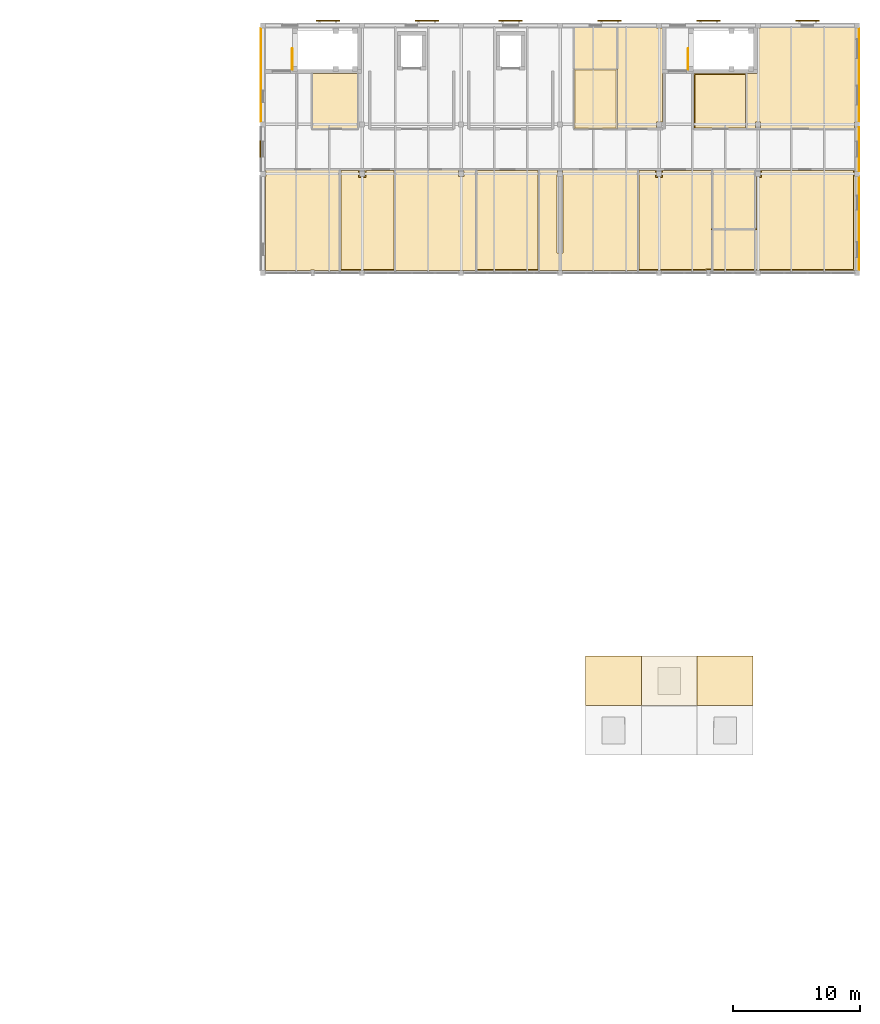
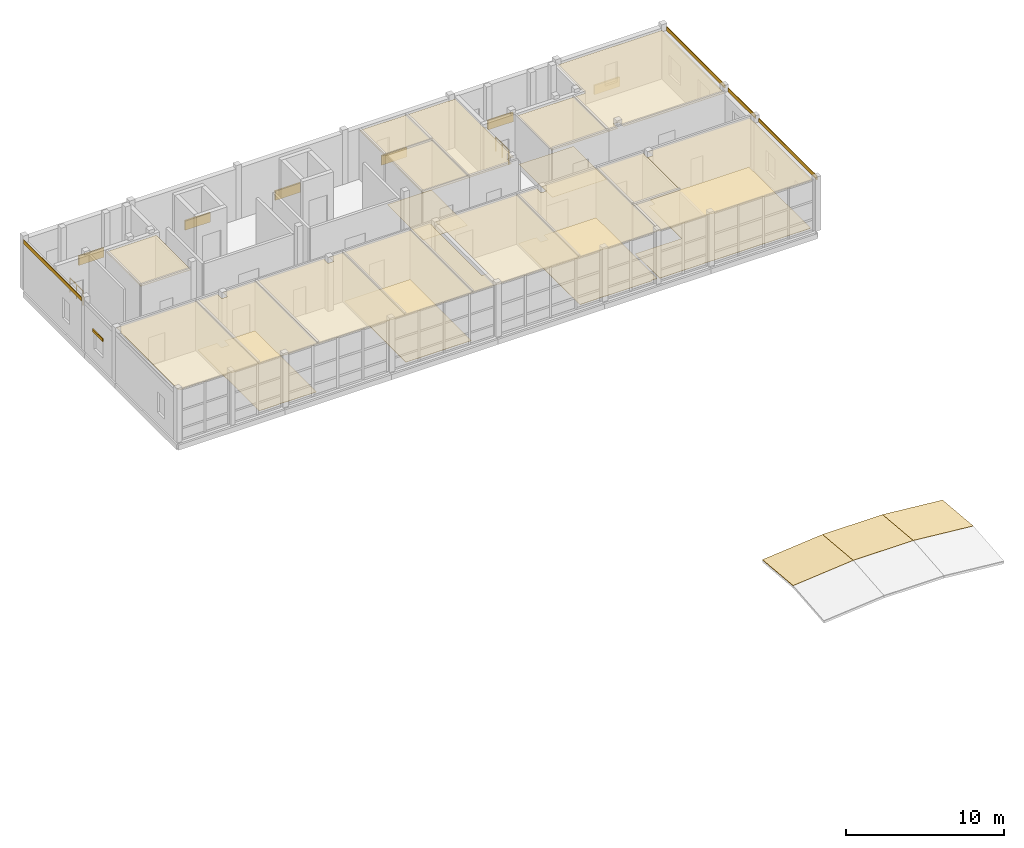
# One storey, part 21 of 21: 26 coverings, 7 shading devices, 2 railings.
"""IFC4 building model written with IfcOpenShell, lengths in metres."""

from ifc_helpers import new_model, si_unit, direction, frame, origin, origin_2d, place, context, subcontext, project, spatial, polyline, rectangle, circle, outline, extrude, material, layer, layer_set, type_object, element, save


model = new_model("IFC4")

# Units and contexts
model_context = context("Model", 3, precision=1e-05, world=origin(), true_north=direction((0.0, 1.0)))
body_context = subcontext(model_context, "Body", "Model", "MODEL_VIEW")
ifc_project = project(units=[si_unit("LENGTHUNIT", "METRE"), si_unit("AREAUNIT", "SQUARE_METRE"), si_unit("VOLUMEUNIT", "CUBIC_METRE"), si_unit("PLANEANGLEUNIT", "RADIAN"), si_unit("MASSUNIT", "GRAM", prefix="KILO")], contexts=[model_context])

# Site, building, storey
site_placement = place(None, origin())
site = spatial("IfcSite", under=ifc_project, at=site_placement, CompositionType="ELEMENT")
building_placement = place(site_placement, origin())
building = spatial("IfcBuilding", under=site, at=building_placement, Name="Celorna Specialist Clinic", CompositionType="ELEMENT")
storey_placement = place(building_placement, frame((0.0, 0.0, 23.10009765625)))
storey = spatial("IfcBuildingStorey", under=building, at=storey_placement, Name="L05", CompositionType="ELEMENT", Elevation=23.10009765625)

# Coverings
ifc_material_1 = material(Name="Hygienic acoustic mineral-fibre ceiling")
ifc_layer_1 = layer(ifc_material_1, 0.030029296875, Name="Hygienic acoustic mineral-fibre ceiling")
ifc_layer_set_1 = layer_set([ifc_layer_1], Name="Hygienic acoustic mineral-fibre ceiling")
covering_type_1 = type_object("IfcCoveringType", Name="CE-01", PredefinedType="CEILING", material=ifc_layer_set_1)
covering_1_placement = place(storey_placement, frame((0.0, 0.0, 3.72998046875)))
element("IfcCovering", 1, at=covering_1_placement, inside=storey, type_object=covering_type_1, Name="Acoustic ceiling L05-006", PredefinedType="CEILING", context=body_context, shape_type="SweptSolid", body=[
    extrude(outline(polyline([(46.97509765625, 104.094970703125), (47.0048828125, 104.094970703125), (47.0048828125, 104.5048828125), (46.9951171875, 104.5048828125), (46.9951171875, 104.6650390625), (52.85498046875, 104.6650390625), (52.85498046875, 96.675048828125), (50.85498046875, 96.675048828125), (50.85498046875, 96.7451171875), (50.544921875, 96.7451171875), (50.544921875, 96.675048828125), (47.0048828125, 96.675048828125), (47.0048828125, 96.705078125), (46.97509765625, 96.705078125), (46.97509765625, 104.094970703125)])), origin(), (0.0, 0.0, 1.0), 0.030029296875),
])
covering_2_placement = place(storey_placement, frame((0.0, 0.0, 3.72998046875)))
element("IfcCovering", 2, at=covering_2_placement, inside=storey, type_object=covering_type_1, Name="Acoustic ceiling L05-007", PredefinedType="CEILING", context=body_context, shape_type="SweptSolid", body=[
    extrude(outline(polyline([(54.405029296875, 104.6650390625), (54.405029296875, 104.5048828125), (54.39501953125, 104.5048828125), (54.39501953125, 104.094970703125), (54.804931640625, 104.094970703125), (54.804931640625, 104.5048828125), (54.794921875, 104.5048828125), (54.794921875, 104.6650390625), (57.205078125, 104.6650390625), (57.205078125, 96.675048828125), (54.804931640625, 96.675048828125), (54.804931640625, 96.705078125), (54.39501953125, 96.705078125), (54.39501953125, 96.675048828125), (52.824951171875, 96.675048828125), (52.824951171875, 104.6650390625), (54.405029296875, 104.6650390625)])), origin(), (0.0, 0.0, 1.0), 0.030029296875),
])
covering_3_placement = place(storey_placement, frame((0.0, 0.0, 3.72998046875)))
element("IfcCovering", 3, at=covering_3_placement, inside=storey, type_object=covering_type_1, Name="Acoustic ceiling L05-008", PredefinedType="CEILING", context=body_context, shape_type="SweptSolid", body=[
    extrude(outline(polyline([(62.205078125, 104.6650390625), (62.205078125, 104.5048828125), (62.195068359375, 104.5048828125), (62.195068359375, 104.094970703125), (62.60498046875, 104.094970703125), (62.60498046875, 104.5048828125), (62.594970703125, 104.5048828125), (62.594970703125, 104.6650390625), (63.60498046875, 104.6650390625), (63.60498046875, 96.675048828125), (62.60498046875, 96.675048828125), (62.60498046875, 96.705078125), (62.195068359375, 96.705078125), (62.195068359375, 96.675048828125), (57.175048828125, 96.675048828125), (57.175048828125, 104.6650390625), (62.205078125, 104.6650390625)])), origin(), (0.0, 0.0, 1.0), 0.030029296875),
])
covering_4_placement = place(storey_placement, frame((0.0, 0.0, 3.72998046875)))
element("IfcCovering", 4, at=covering_4_placement, inside=storey, type_object=covering_type_1, Name="Acoustic ceiling L05-009", PredefinedType="CEILING", context=body_context, shape_type="SweptSolid", body=[
    extrude(outline(polyline([(68.554931640625, 104.6650390625), (68.554931640625, 96.675048828125), (63.574951171875, 96.675048828125), (63.574951171875, 104.6650390625), (68.554931640625, 104.6650390625)])), origin(), (0.0, 0.0, 1.0), 0.030029296875),
])
covering_5_placement = place(storey_placement, frame((0.0, 0.0, 3.72998046875)))
element("IfcCovering", 5, at=covering_5_placement, inside=storey, type_object=covering_type_1, Name="Acoustic ceiling L05-010", PredefinedType="CEILING", context=body_context, shape_type="SweptSolid", body=[
    extrude(outline(polyline([(70.0048828125, 104.6650390625), (70.0048828125, 104.5048828125), (69.9951171875, 104.5048828125), (69.9951171875, 104.235107421875), (69.965087890625, 104.235107421875), (69.965087890625, 98.06494140625), (70.43505859375, 98.06494140625), (70.43505859375, 104.235107421875), (70.405029296875, 104.235107421875), (70.405029296875, 104.5048828125), (70.39501953125, 104.5048828125), (70.39501953125, 104.6650390625), (76.35498046875, 104.6650390625), (76.35498046875, 96.675048828125), (70.405029296875, 96.675048828125), (70.405029296875, 96.705078125), (69.9951171875, 96.705078125), (69.9951171875, 96.675048828125), (68.52490234375, 96.675048828125), (68.52490234375, 104.6650390625), (70.0048828125, 104.6650390625)])), origin(), (0.0, 0.0, 1.0), 0.030029296875),
])
covering_6_placement = place(storey_placement, frame((0.0, 0.0, 3.72998046875)))
element("IfcCovering", 6, at=covering_6_placement, inside=storey, type_object=covering_type_1, Name="Acoustic ceiling L05-011", PredefinedType="CEILING", context=body_context, shape_type="SweptSolid", body=[
    extrude(outline(polyline([(77.804931640625, 104.6650390625), (77.804931640625, 104.5048828125), (77.794921875, 104.5048828125), (77.794921875, 104.094970703125), (78.205078125, 104.094970703125), (78.205078125, 104.5048828125), (78.195068359375, 104.5048828125), (78.195068359375, 104.6650390625), (82.205078125, 104.6650390625), (82.205078125, 96.735107421875), (82.054931640625, 96.735107421875), (82.054931640625, 96.7451171875), (81.7451171875, 96.7451171875), (81.7451171875, 96.675048828125), (78.205078125, 96.675048828125), (78.205078125, 96.705078125), (77.794921875, 96.705078125), (77.794921875, 96.675048828125), (76.324951171875, 96.675048828125), (76.324951171875, 104.6650390625), (77.804931640625, 104.6650390625)])), origin(), (0.0, 0.0, 1.0), 0.030029296875),
])
covering_7_placement = place(storey_placement, frame((0.0, 0.0, 3.72998046875)))
element("IfcCovering", 7, at=covering_7_placement, inside=storey, type_object=covering_type_1, Name="Acoustic ceiling L05-012", PredefinedType="CEILING", context=body_context, shape_type="SweptSolid", body=[
    extrude(outline(polyline([(85.60498046875, 104.6650390625), (85.60498046875, 104.5048828125), (85.594970703125, 104.5048828125), (85.594970703125, 104.094970703125), (85.60498046875, 104.094970703125), (85.60498046875, 99.93505859375), (82.175048828125, 99.93505859375), (82.175048828125, 104.6650390625), (85.60498046875, 104.6650390625)])), origin(), (0.0, 0.0, 1.0), 0.030029296875),
])
covering_8_placement = place(storey_placement, frame((0.0, 0.0, 3.72998046875)))
element("IfcCovering", 8, at=covering_8_placement, inside=storey, type_object=covering_type_1, Name="Acoustic ceiling L05-013", PredefinedType="CEILING", context=body_context, shape_type="SweptSolid", body=[
    extrude(outline(polyline([(82.175048828125, 96.675048828125), (82.175048828125, 99.965087890625), (85.574951171875, 99.965087890625), (85.574951171875, 104.10498046875), (85.594970703125, 104.10498046875), (85.594970703125, 104.094970703125), (86.0048828125, 104.094970703125), (86.0048828125, 104.5048828125), (85.9951171875, 104.5048828125), (85.9951171875, 104.6650390625), (93.405029296875, 104.6650390625), (93.405029296875, 104.5048828125), (93.39501953125, 104.5048828125), (93.39501953125, 104.094970703125), (93.425048828125, 104.094970703125), (93.425048828125, 96.705078125), (93.39501953125, 96.705078125), (93.39501953125, 96.675048828125), (86.0048828125, 96.675048828125), (86.0048828125, 96.705078125), (85.594970703125, 96.705078125), (85.594970703125, 96.675048828125), (82.175048828125, 96.675048828125)])), origin(), (0.0, 0.0, 1.0), 0.030029296875),
])
covering_9_placement = place(storey_placement, frame((0.0, 0.0, 3.72998046875)))
element("IfcCovering", 9, at=covering_9_placement, inside=storey, type_object=covering_type_1, Name="Acoustic ceiling L05-014", PredefinedType="CEILING", context=body_context, shape_type="SweptSolid", body=[
    extrude(outline(polyline([(50.625, 112.235107421875), (54.304931640625, 112.235107421875), (54.304931640625, 107.8349609375), (50.625, 107.8349609375), (50.625, 112.235107421875)])), origin(), (0.0, 0.0, 1.0), 0.030029296875),
])
covering_10_placement = place(storey_placement, frame((0.0, 0.0, 3.72998046875)))
element("IfcCovering", 10, at=covering_10_placement, inside=storey, type_object=covering_type_1, Name="Acoustic ceiling L05-015", PredefinedType="CEILING", context=body_context, shape_type="SweptSolid", body=[
    extrude(outline(polyline([(74.705078125, 112.56494140625), (74.705078125, 107.8349609375), (71.27490234375, 107.8349609375), (71.27490234375, 112.56494140625), (74.705078125, 112.56494140625)])), origin(), (0.0, 0.0, 1.0), 0.030029296875),
])
covering_11_placement = place(storey_placement, frame((0.0, 0.0, 3.72998046875)))
element("IfcCovering", 11, at=covering_11_placement, inside=storey, type_object=covering_type_1, Name="Acoustic ceiling L05-016", PredefinedType="CEILING", context=body_context, shape_type="SweptSolid", body=[
    extrude(outline(polyline([(71.27490234375, 112.534912109375), (71.27490234375, 115.824951171875), (77.794921875, 115.824951171875), (77.794921875, 115.794921875), (78.205078125, 115.794921875), (78.205078125, 115.804931640625), (78.2548828125, 115.804931640625), (78.2548828125, 112.235107421875), (78.284912109375, 112.235107421875), (78.284912109375, 108.39501953125), (78.205078125, 108.39501953125), (78.205078125, 108.405029296875), (77.794921875, 108.405029296875), (77.794921875, 107.9951171875), (77.804931640625, 107.9951171875), (77.804931640625, 107.8349609375), (74.675048828125, 107.8349609375), (74.675048828125, 112.534912109375), (71.27490234375, 112.534912109375)])), origin(), (0.0, 0.0, 1.0), 0.030029296875),
])
covering_12_placement = place(storey_placement, frame((0.0, 0.0, 3.72998046875)))
element("IfcCovering", 12, at=covering_12_placement, inside=storey, type_object=covering_type_1, Name="Acoustic ceiling L05-017", PredefinedType="CEILING", context=body_context, shape_type="SweptSolid", body=[
    extrude(outline(polyline([(80.7451171875, 112.235107421875), (84.905029296875, 112.235107421875), (84.905029296875, 107.8349609375), (80.7451171875, 107.8349609375), (80.7451171875, 112.235107421875)])), origin(), (0.0, 0.0, 1.0), 0.030029296875),
])
covering_13_placement = place(storey_placement, frame((0.0, 0.0, 3.72998046875)))
element("IfcCovering", 13, at=covering_13_placement, inside=storey, type_object=covering_type_1, Name="Acoustic ceiling L05-018", PredefinedType="CEILING", context=body_context, shape_type="SweptSolid", body=[
    extrude(outline(polyline([(84.875, 107.8349609375), (84.875, 112.235107421875), (85.72509765625, 112.235107421875), (85.72509765625, 115.794921875), (86.0048828125, 115.794921875), (86.0048828125, 115.824951171875), (93.39501953125, 115.824951171875), (93.39501953125, 115.794921875), (93.425048828125, 115.794921875), (93.425048828125, 108.405029296875), (93.39501953125, 108.405029296875), (93.39501953125, 107.9951171875), (93.405029296875, 107.9951171875), (93.405029296875, 107.8349609375), (85.9951171875, 107.8349609375), (85.9951171875, 107.9951171875), (86.0048828125, 107.9951171875), (86.0048828125, 108.405029296875), (85.594970703125, 108.405029296875), (85.594970703125, 107.9951171875), (85.60498046875, 107.9951171875), (85.60498046875, 107.8349609375), (84.875, 107.8349609375)])), origin(), (0.0, 0.0, 1.0), 0.030029296875),
])
ifc_material_2 = material(Name="Pero Pinheiro Lioz limestone rainscreen cladding", Category="masonry")
ifc_layer_2 = layer(ifc_material_2, 0.044921875, Name="Pero Pinheiro Lioz limestone rainscreen cladding")
ifc_layer_set_2 = layer_set([ifc_layer_2], Name="Pero Pinheiro Lioz limestone rainscreen cladding")
covering_type_2 = type_object("IfcCoveringType", Name="CL-01", PredefinedType="CLADDING", material=ifc_layer_set_2)
for number, where, z_axis, x_axis, name in (
    (14, (46.632568359375, 112.10009765625, 3.64990234375), (0.0, 0.0, 1.0), (0.0, 1.0, 0.0), "Lioz spandrel cladding #294"),
    (15, (93.767578125, 100.39990234375, 3.64990234375), (0.0, 0.0, 1.0), (0.0, -1.0, 0.0), "Lioz spandrel cladding #295"),
):
    element("IfcCovering", number, at=place(storey_placement, frame(where, z_axis=z_axis, x_axis=x_axis)), inside=storey, type_object=covering_type_2, Name=name, PredefinedType="CLADDING", context=body_context, shape_type="SweptSolid", body=[
        extrude(rectangle(XDim=7.39990234375, YDim=0.044921875, at=origin_2d()), origin(), (0.0, 0.0, 1.0), 0.2900390625),
    ])
covering_14_placement = place(storey_placement, frame((93.767578125, 106.25, 3.64990234375), z_axis=(0.0, 0.0, 1.0), x_axis=(0.0, -1.0, 0.0)))
element("IfcCovering", 16, at=covering_14_placement, inside=storey, type_object=covering_type_2, Name="Lioz spandrel cladding #296", PredefinedType="CLADDING", context=body_context, shape_type="SweptSolid", body=[
    extrude(rectangle(XDim=3.5, YDim=0.044921875, at=origin_2d()), origin(), (0.0, 0.0, 1.0), 0.2900390625),
])
covering_15_placement = place(storey_placement, frame((93.767578125, 112.10009765625, 3.64990234375), z_axis=(0.0, 0.0, 1.0), x_axis=(0.0, -1.0, 0.0)))
element("IfcCovering", 17, at=covering_15_placement, inside=storey, type_object=covering_type_2, Name="Lioz spandrel cladding #297", PredefinedType="CLADDING", context=body_context, shape_type="SweptSolid", body=[
    extrude(rectangle(XDim=7.39990234375, YDim=0.044921875, at=origin_2d()), origin(), (0.0, 0.0, 1.0), 0.2900390625),
])
ifc_material_3 = material(Name="Seamless antimicrobial clinical vinyl and Lioz terrazzo flooring")
ifc_layer_3 = layer(ifc_material_3, 0.02001953125, Name="Seamless antimicrobial clinical vinyl and Lioz terrazzo flooring")
ifc_layer_set_3 = layer_set([ifc_layer_3], Name="Seamless antimicrobial clinical vinyl and Lioz terrazzo flooring")
covering_type_3 = type_object("IfcCoveringType", Name="FL-01", PredefinedType="FLOORING", material=ifc_layer_set_3)
covering_16_placement = place(storey_placement, origin())
element("IfcCovering", 18, at=covering_16_placement, inside=storey, type_object=covering_type_3, Name="Antimicrobial clinical flooring L05-007", PredefinedType="FLOORING", context=body_context, shape_type="SweptSolid", body=[
    extrude(outline(polyline([(52.9150390625, 104.574951171875), (54.31494140625, 104.574951171875), (54.31494140625, 104.014892578125), (54.885009765625, 104.014892578125), (54.885009765625, 104.574951171875), (57.114990234375, 104.574951171875), (57.114990234375, 96.764892578125), (54.885009765625, 96.764892578125), (54.885009765625, 96.784912109375), (54.31494140625, 96.784912109375), (54.31494140625, 96.764892578125), (52.9150390625, 96.764892578125), (52.9150390625, 104.574951171875)])), origin(), (0.0, 0.0, 1.0), 0.02001953125),
])
covering_17_placement = place(storey_placement, origin())
element("IfcCovering", 19, at=covering_17_placement, inside=storey, type_object=covering_type_3, Name="Antimicrobial clinical flooring L05-009", PredefinedType="FLOORING", context=body_context, shape_type="SweptSolid", body=[
    extrude(outline(polyline([(63.6650390625, 104.574951171875), (68.465087890625, 104.574951171875), (68.465087890625, 96.764892578125), (63.6650390625, 96.764892578125), (63.6650390625, 104.574951171875)])), origin(), (0.0, 0.0, 1.0), 0.02001953125),
])
covering_18_placement = place(storey_placement, origin())
element("IfcCovering", 20, at=covering_18_placement, inside=storey, type_object=covering_type_3, Name="Antimicrobial clinical flooring L05-011", PredefinedType="FLOORING", context=body_context, shape_type="SweptSolid", body=[
    extrude(outline(polyline([(76.4150390625, 104.574951171875), (77.715087890625, 104.574951171875), (77.715087890625, 104.014892578125), (78.284912109375, 104.014892578125), (78.284912109375, 104.574951171875), (82.114990234375, 104.574951171875), (82.114990234375, 96.824951171875), (81.6650390625, 96.824951171875), (81.6650390625, 96.764892578125), (78.284912109375, 96.764892578125), (78.284912109375, 96.784912109375), (77.715087890625, 96.784912109375), (77.715087890625, 96.764892578125), (76.4150390625, 96.764892578125), (76.4150390625, 104.574951171875)])), origin(), (0.0, 0.0, 1.0), 0.02001953125),
])
covering_19_placement = place(storey_placement, origin())
element("IfcCovering", 21, at=covering_19_placement, inside=storey, type_object=covering_type_3, Name="Antimicrobial clinical flooring L05-013", PredefinedType="FLOORING", context=body_context, shape_type="SweptSolid", body=[
    extrude(outline(polyline([(85.514892578125, 96.764892578125), (82.264892578125, 96.764892578125), (82.264892578125, 99.875), (85.6650390625, 99.875), (85.6650390625, 104.014892578125), (86.0849609375, 104.014892578125), (86.0849609375, 104.574951171875), (93.31494140625, 104.574951171875), (93.31494140625, 104.014892578125), (93.3349609375, 104.014892578125), (93.3349609375, 96.784912109375), (93.31494140625, 96.784912109375), (93.31494140625, 96.764892578125), (86.0849609375, 96.764892578125), (86.0849609375, 96.784912109375), (85.514892578125, 96.784912109375), (85.514892578125, 96.764892578125)])), origin(), (0.0, 0.0, 1.0), 0.02001953125),
])
covering_20_placement = place(storey_placement, origin())
element("IfcCovering", 22, at=covering_20_placement, inside=storey, type_object=covering_type_3, Name="Antimicrobial clinical flooring L05-015", PredefinedType="FLOORING", context=body_context, shape_type="SweptSolid", body=[
    extrude(outline(polyline([(71.364990234375, 112.47509765625), (74.614990234375, 112.47509765625), (74.614990234375, 107.925048828125), (71.364990234375, 107.925048828125), (71.364990234375, 112.47509765625)])), origin(), (0.0, 0.0, 1.0), 0.02001953125),
])
covering_21_placement = place(storey_placement, origin())
element("IfcCovering", 23, at=covering_21_placement, inside=storey, type_object=covering_type_3, Name="Antimicrobial clinical flooring L05-017", PredefinedType="FLOORING", context=body_context, shape_type="SweptSolid", body=[
    extrude(outline(polyline([(80.8349609375, 107.925048828125), (80.8349609375, 112.14501953125), (84.81494140625, 112.14501953125), (84.81494140625, 107.925048828125), (80.8349609375, 107.925048828125)])), origin(), (0.0, 0.0, 1.0), 0.02001953125),
])

# Railings
ifc_material_4 = material(Name="Powder-coated steel S355", Category="steel")
railing_type = type_object("IfcRailingType", Name="GR-01", PredefinedType="GUARDRAIL", material=ifc_material_4)
for number, where, name in (
    (24, (49.090087890625, 112.52001953125, 0.0), "L05 ST-01 top well guard 1"),
    (25, (80.2900390625, 112.52001953125, 0.0), "L05 ST-02 top well guard 1"),
):
    element("IfcRailing", number, at=place(storey_placement, frame(where)), inside=storey, type_object=railing_type, Name=name, PredefinedType="GUARDRAIL", context=body_context, shape_type="SweptSolid", body=[
        extrude(circle(Radius=0.02392578125, at=origin_2d()), frame((0.0, 0.0, 1.09619140625), z_axis=(0.0, 1.0, 0.0), x_axis=(-1.0, 0.0, 0.0)), (0.0, 0.0, 1.0), 1.64990234375),
        extrude(circle(Radius=0.02099609375, at=origin_2d()), origin(), (0.0, 0.0, 1.0), 1.072021484375),
        extrude(circle(Radius=0.02099609375, at=origin_2d()), frame((0.0, 0.824951171875, 0.0)), (0.0, 0.0, 1.0), 1.072021484375),
        extrude(circle(Radius=0.02099609375, at=origin_2d()), frame((0.0, 1.64990234375, 0.0)), (0.0, 0.0, 1.0), 1.072021484375),
    ])

# Shading device
ifc_material_5 = material(Name="Anodized aluminium solar louvre", Category="aluminium")
ifc_layer_4 = layer(ifc_material_5, 0.080078125, Name="Anodized aluminium solar louvre")
ifc_layer_set_4 = layer_set([ifc_layer_4], Name="Anodized aluminium solar louvre")
shading_device_type_1 = type_object("IfcShadingDeviceType", Name="LV-01", PredefinedType="JALOUSIE", material=ifc_layer_set_4)
shading_device_placement = place(storey_placement, frame((46.570068359375, 106.25, 2.23974609375), z_axis=(0.0, 0.0, 1.0), x_axis=(0.0, 1.0, 0.0)))
element("IfcShadingDevice", 26, at=shading_device_placement, inside=storey, type_object=shading_device_type_1, Name="External solar louvre LV-01 #172", PredefinedType="JALOUSIE", context=body_context, shape_type="SweptSolid", body=[
    extrude(rectangle(XDim=1.300048828125, YDim=0.080078125, at=origin_2d()), origin(), (0.0, 0.0, 1.0), 0.219970703125),
])

# Coverings
ifc_material_6 = material(Name="Standing-seam zinc and EPDM acoustic roofing membrane")
ifc_layer_5 = layer(ifc_material_6, 0.0400390625, Name="Standing-seam zinc and EPDM acoustic roofing membrane")
ifc_layer_set_5 = layer_set([ifc_layer_5], Name="Standing-seam zinc and EPDM acoustic roofing membrane")
covering_type_4 = type_object("IfcCoveringType", Name="RFG-01", PredefinedType="ROOFING", material=ifc_layer_set_5)
covering_22_placement = place(storey_placement, frame((72.199951171875, 62.39990234375, 0.56494140625), z_axis=(-0.093193042188, 0.090678956725, 0.991510153097), x_axis=(0.995611897961, 0.0, 0.093578569336)))
element("IfcCovering", 27, at=covering_22_placement, inside=storey, type_object=covering_type_4, Name="GSH-V1 gridshell standing-seam roofing 5-5", PredefinedType="ROOFING", context=body_context, shape_type="SweptSolid", body=[
    extrude(outline(polyline([(0.0, 0.0), (4.41953987631884, 0.0), (4.386161387598107, 3.916280868635957), (-0.033378488720732666, 3.9162808686359574), (0.0, 0.0)])), origin(), (0.0, 0.0, -1.0), 0.0400390625),
])
covering_23_placement = place(storey_placement, frame((76.60009765625, 62.39990234375, 0.978515625), z_axis=(0.0, 0.091075311128, 0.995844007716), x_axis=(1.0, 0.0, 0.0)))
element("IfcCovering", 28, at=covering_23_placement, inside=storey, type_object=covering_type_4, Name="GSH-V1 gridshell standing-seam roofing 6-5", PredefinedType="ROOFING", context=body_context, shape_type="SweptSolid", body=[
    extrude(outline(polyline([(0.0, 0.0), (4.39990234375, 0.0), (4.39990234375, 3.9164231085970886), (0.0, 3.9164231085970886), (0.0, 0.0)])), origin(), (0.0, 0.0, -1.0), 0.0400390625),
])
covering_24_placement = place(storey_placement, frame((81.0, 62.39990234375, 0.978515625), z_axis=(0.093198168344, 0.090678913025, 0.991509675268), x_axis=(0.995611414177, 0.0, -0.093583716325)))
element("IfcCovering", 29, at=covering_24_placement, inside=storey, type_object=covering_type_4, Name="GSH-V1 gridshell standing-seam roofing 7-5", PredefinedType="ROOFING", context=body_context, shape_type="SweptSolid", body=[
    extrude(outline(polyline([(0.0, 0.0), (4.419296807066869, -6.938893903907228e-18), (4.452677131664357, 3.916280852988337), (0.03338032459748851, 3.916280852988337), (0.0, 0.0)])), origin(), (0.0, 0.0, -1.0), 0.0400390625),
])

# Shading devices
ifc_material_7 = material(Name="Perforated terracotta brick weave screen", Category="masonry")
ifc_layer_6 = layer(ifc_material_7, 0.114990234375, Name="Perforated terracotta brick weave screen")
ifc_layer_set_6 = layer_set([ifc_layer_6], Name="Perforated terracotta brick weave screen")
shading_device_type_2 = type_object("IfcShadingDeviceType", Name="SCR-01", PredefinedType="USERDEFINED", material=ifc_layer_set_6)
for number, where, z_axis, x_axis, name in (
    (30, (51.89990234375, 116.375, 0.08984375), (0.0, 0.0, 1.0), (1.0, 0.0, 0.0), "Woven perforated terracotta brick screen #7"),
    (31, (59.699951171875, 116.375, 0.08984375), (0.0, 0.0, 1.0), (1.0, 0.0, 0.0), "Woven perforated terracotta brick screen #8"),
    (32, (66.300048828125, 116.375, 0.08984375), (0.0, 0.0, 1.0), (1.0, 0.0, 0.0), "Woven perforated terracotta brick screen #9"),
    (33, (74.10009765625, 116.375, 0.08984375), (0.0, 0.0, 1.0), (1.0, 0.0, 0.0), "Woven perforated terracotta brick screen #10"),
    (34, (81.89990234375, 116.375, 0.08984375), (0.0, 0.0, 1.0), (1.0, 0.0, 0.0), "Woven perforated terracotta brick screen #11"),
    (35, (89.699951171875, 116.375, 0.08984375), (0.0, 0.0, 1.0), (1.0, 0.0, 0.0), "Woven perforated terracotta brick screen #12"),
):
    element("IfcShadingDevice", number, at=place(storey_placement, frame(where, z_axis=z_axis, x_axis=x_axis)), inside=storey, type_object=shading_device_type_2, Name=name, ObjectType="SCREEN", PredefinedType="USERDEFINED", context=body_context, shape_type="SweptSolid", body=[
        extrude(rectangle(XDim=1.85009765625, YDim=0.114990234375, at=origin_2d()), origin(), (0.0, 0.0, 1.0), 0.719970703125),
    ])

save(model, "model.ifc")
